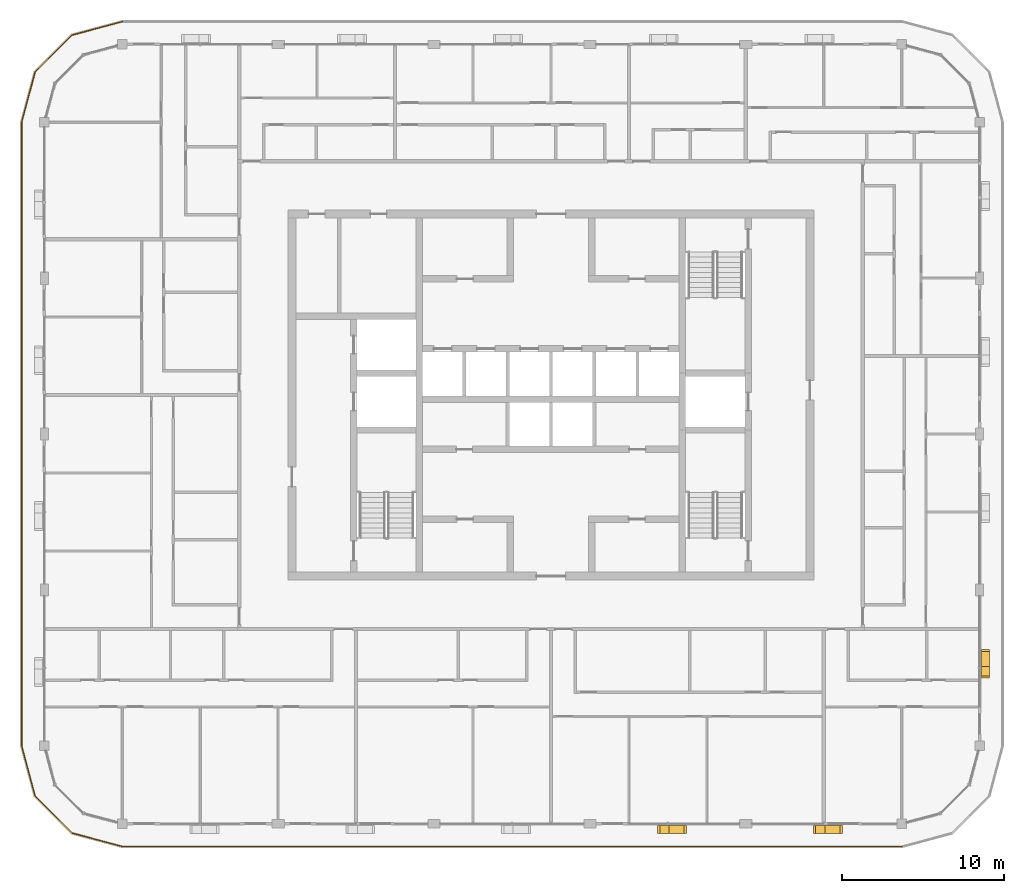
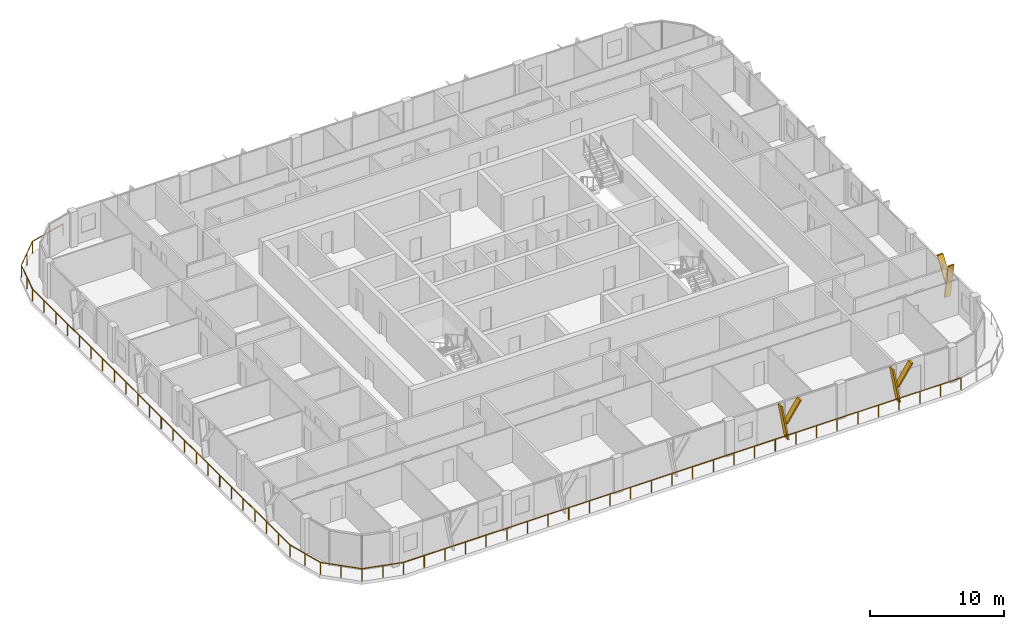
# One storey, part 18 of 21: 6 shading devices, 1 railing.
"""IFC4 building model written with IfcOpenShell, lengths in metres."""

from ifc_helpers import new_model, si_unit, direction, frame, origin, origin_2d, place, context, subcontext, project, spatial, polyline, circle, outline, extrude, material, type_object, element, save


model = new_model("IFC4")

# Units and contexts
model_context = context("Model", 3, precision=1e-05, world=origin(), true_north=direction((0.0, 1.0)))
body_context = subcontext(model_context, "Body", "Model", "MODEL_VIEW")
ifc_project = project(units=[si_unit("LENGTHUNIT", "METRE"), si_unit("AREAUNIT", "SQUARE_METRE"), si_unit("VOLUMEUNIT", "CUBIC_METRE"), si_unit("PLANEANGLEUNIT", "RADIAN"), si_unit("MASSUNIT", "GRAM", prefix="KILO")], contexts=[model_context])

# Site, building, storey
site_placement = place(None, origin())
site = spatial("IfcSite", under=ifc_project, at=site_placement, CompositionType="ELEMENT")
building_placement = place(site_placement, origin())
building = spatial("IfcBuilding", under=site, at=building_placement, Name="Madar Terraces", CompositionType="ELEMENT")
storey_placement = place(building_placement, frame((0.0, 0.0, 275.60009765625)))
storey = spatial("IfcBuildingStorey", under=building, at=storey_placement, Name="L72", CompositionType="ELEMENT", Elevation=275.60009765625)

# Railing
ifc_material_1 = material(Name="Glass, safety glazing, with stainless steel posts", Category="steel")
railing_type = type_object("IfcRailingType", Name="Balcony glass guard 1100", PredefinedType="GUARDRAIL", material=ifc_material_1)
railing_placement = place(storey_placement, frame((4.800048828125, 49.39990234375, 0.0)))
element("IfcRailing", 1, at=railing_placement, inside=storey, type_object=railing_type, Name="Balcony guard", PredefinedType="GUARDRAIL", context=body_context, shape_type="SweptSolid", body=[
    extrude(circle(Radius=0.02392578125, at=origin_2d()), frame((0.0, 0.0, 1.076171875), z_axis=(-0.9659337912, -0.258789317819, 0.0), x_axis=(0.258789317819, -0.9659337912, 0.0)), (0.0, 0.0, 1.0), 3.20947265625),
    extrude(circle(Radius=0.02392578125, at=origin_2d()), frame((-3.10009765625, -0.83056640625, 1.076171875), z_axis=(-0.707106781187, -0.707106781187, 0.0), x_axis=(0.707106781187, -0.707106781187, 0.0)), (0.0, 0.0, 1.0), 3.209228515625),
    extrude(circle(Radius=0.02392578125, at=origin_2d()), frame((-5.369384765625, -3.099853515625, 1.076171875), z_axis=(-0.258789317819, -0.9659337912, 0.0), x_axis=(0.9659337912, -0.258789317819, 0.0)), (0.0, 0.0, 1.0), 3.20947265625),
    extrude(circle(Radius=0.02392578125, at=origin_2d()), frame((-6.199951171875, -6.199951171875, 1.076171875), z_axis=(0.0, -1.0, 0.0), x_axis=(1.0, 0.0, 0.0)), (0.0, 0.0, 1.0), 38.39990234375),
    extrude(circle(Radius=0.02392578125, at=origin_2d()), frame((-6.199951171875, -44.599853515625, 1.076171875), z_axis=(0.258789317819, -0.9659337912, 0.0), x_axis=(0.9659337912, 0.258789317819, 0.0)), (0.0, 0.0, 1.0), 3.20947265625),
    extrude(circle(Radius=0.02392578125, at=origin_2d()), frame((-5.369384765625, -47.699951171875, 1.076171875), z_axis=(0.707106781187, -0.707106781187, 0.0), x_axis=(0.707106781187, 0.707106781187, 0.0)), (0.0, 0.0, 1.0), 3.209228515625),
    extrude(circle(Radius=0.02392578125, at=origin_2d()), frame((-3.10009765625, -49.96923828125, 1.076171875), z_axis=(0.9659337912, -0.258789317819, 0.0), x_axis=(0.258789317819, 0.9659337912, 0.0)), (0.0, 0.0, 1.0), 3.20947265625),
    extrude(circle(Radius=0.02392578125, at=origin_2d()), frame((0.0, -50.7998046875, 1.076171875), z_axis=(1.0, 0.0, 0.0), x_axis=(0.0, 1.0, 0.0)), (0.0, 0.0, 1.0), 48.0),
    extrude(circle(Radius=0.02099609375, at=origin_2d()), origin(), (0.0, 0.0, 1.0), 1.052001953125),
    extrude(circle(Radius=0.02099609375, at=origin_2d()), frame((-1.550048828125, -0.415283203125, 0.0)), (0.0, 0.0, 1.0), 1.052001953125),
    extrude(circle(Radius=0.02099609375, at=origin_2d()), frame((-3.10009765625, -0.83056640625, 0.0)), (0.0, 0.0, 1.0), 1.052001953125),
    extrude(circle(Radius=0.02099609375, at=origin_2d()), frame((-4.23486328125, -1.96533203125, 0.0)), (0.0, 0.0, 1.0), 1.052001953125),
    extrude(circle(Radius=0.02099609375, at=origin_2d()), frame((-5.369384765625, -3.099853515625, 0.0)), (0.0, 0.0, 1.0), 1.052001953125),
    extrude(circle(Radius=0.02099609375, at=origin_2d()), frame((-5.78466796875, -4.64990234375, 0.0)), (0.0, 0.0, 1.0), 1.052001953125),
    extrude(circle(Radius=0.02099609375, at=origin_2d()), frame((-6.199951171875, -6.199951171875, 0.0)), (0.0, 0.0, 1.0), 1.052001953125),
    extrude(circle(Radius=0.02099609375, at=origin_2d()), frame((-6.199951171875, -7.9453125, 0.0)), (0.0, 0.0, 1.0), 1.052001953125),
    extrude(circle(Radius=0.02099609375, at=origin_2d()), frame((-6.199951171875, -9.69091796875, 0.0)), (0.0, 0.0, 1.0), 1.052001953125),
    extrude(circle(Radius=0.02099609375, at=origin_2d()), frame((-6.199951171875, -11.436279296875, 0.0)), (0.0, 0.0, 1.0), 1.052001953125),
    extrude(circle(Radius=0.02099609375, at=origin_2d()), frame((-6.199951171875, -13.181640625, 0.0)), (0.0, 0.0, 1.0), 1.052001953125),
    extrude(circle(Radius=0.02099609375, at=origin_2d()), frame((-6.199951171875, -14.92724609375, 0.0)), (0.0, 0.0, 1.0), 1.052001953125),
    extrude(circle(Radius=0.02099609375, at=origin_2d()), frame((-6.199951171875, -16.672607421875, 0.0)), (0.0, 0.0, 1.0), 1.052001953125),
    extrude(circle(Radius=0.02099609375, at=origin_2d()), frame((-6.199951171875, -18.418212890625, 0.0)), (0.0, 0.0, 1.0), 1.052001953125),
    extrude(circle(Radius=0.02099609375, at=origin_2d()), frame((-6.199951171875, -20.16357421875, 0.0)), (0.0, 0.0, 1.0), 1.052001953125),
    extrude(circle(Radius=0.02099609375, at=origin_2d()), frame((-6.199951171875, -21.908935546875, 0.0)), (0.0, 0.0, 1.0), 1.052001953125),
    extrude(circle(Radius=0.02099609375, at=origin_2d()), frame((-6.199951171875, -23.654541015625, 0.0)), (0.0, 0.0, 1.0), 1.052001953125),
    extrude(circle(Radius=0.02099609375, at=origin_2d()), frame((-6.199951171875, -25.39990234375, 0.0)), (0.0, 0.0, 1.0), 1.052001953125),
    extrude(circle(Radius=0.02099609375, at=origin_2d()), frame((-6.199951171875, -27.145263671875, 0.0)), (0.0, 0.0, 1.0), 1.052001953125),
    extrude(circle(Radius=0.02099609375, at=origin_2d()), frame((-6.199951171875, -28.890869140625, 0.0)), (0.0, 0.0, 1.0), 1.052001953125),
    extrude(circle(Radius=0.02099609375, at=origin_2d()), frame((-6.199951171875, -30.63623046875, 0.0)), (0.0, 0.0, 1.0), 1.052001953125),
    extrude(circle(Radius=0.02099609375, at=origin_2d()), frame((-6.199951171875, -32.381591796875, 0.0)), (0.0, 0.0, 1.0), 1.052001953125),
    extrude(circle(Radius=0.02099609375, at=origin_2d()), frame((-6.199951171875, -34.127197265625, 0.0)), (0.0, 0.0, 1.0), 1.052001953125),
    extrude(circle(Radius=0.02099609375, at=origin_2d()), frame((-6.199951171875, -35.87255859375, 0.0)), (0.0, 0.0, 1.0), 1.052001953125),
    extrude(circle(Radius=0.02099609375, at=origin_2d()), frame((-6.199951171875, -37.6181640625, 0.0)), (0.0, 0.0, 1.0), 1.052001953125),
    extrude(circle(Radius=0.02099609375, at=origin_2d()), frame((-6.199951171875, -39.363525390625, 0.0)), (0.0, 0.0, 1.0), 1.052001953125),
    extrude(circle(Radius=0.02099609375, at=origin_2d()), frame((-6.199951171875, -41.10888671875, 0.0)), (0.0, 0.0, 1.0), 1.052001953125),
    extrude(circle(Radius=0.02099609375, at=origin_2d()), frame((-6.199951171875, -42.8544921875, 0.0)), (0.0, 0.0, 1.0), 1.052001953125),
    extrude(circle(Radius=0.02099609375, at=origin_2d()), frame((-6.199951171875, -44.599853515625, 0.0)), (0.0, 0.0, 1.0), 1.052001953125),
    extrude(circle(Radius=0.02099609375, at=origin_2d()), frame((-5.78466796875, -46.14990234375, 0.0)), (0.0, 0.0, 1.0), 1.052001953125),
    extrude(circle(Radius=0.02099609375, at=origin_2d()), frame((-5.369384765625, -47.699951171875, 0.0)), (0.0, 0.0, 1.0), 1.052001953125),
    extrude(circle(Radius=0.02099609375, at=origin_2d()), frame((-4.23486328125, -48.83447265625, 0.0)), (0.0, 0.0, 1.0), 1.052001953125),
    extrude(circle(Radius=0.02099609375, at=origin_2d()), frame((-3.10009765625, -49.96923828125, 0.0)), (0.0, 0.0, 1.0), 1.052001953125),
    extrude(circle(Radius=0.02099609375, at=origin_2d()), frame((-1.550048828125, -50.384521484375, 0.0)), (0.0, 0.0, 1.0), 1.052001953125),
    extrude(circle(Radius=0.02099609375, at=origin_2d()), frame((0.0, -50.7998046875, 0.0)), (0.0, 0.0, 1.0), 1.052001953125),
    extrude(circle(Radius=0.02099609375, at=origin_2d()), frame((1.77783203125, -50.7998046875, 0.0)), (0.0, 0.0, 1.0), 1.052001953125),
    extrude(circle(Radius=0.02099609375, at=origin_2d()), frame((3.5556640625, -50.7998046875, 0.0)), (0.0, 0.0, 1.0), 1.052001953125),
    extrude(circle(Radius=0.02099609375, at=origin_2d()), frame((5.333251953125, -50.7998046875, 0.0)), (0.0, 0.0, 1.0), 1.052001953125),
    extrude(circle(Radius=0.02099609375, at=origin_2d()), frame((7.111083984375, -50.7998046875, 0.0)), (0.0, 0.0, 1.0), 1.052001953125),
    extrude(circle(Radius=0.02099609375, at=origin_2d()), frame((8.888916015625, -50.7998046875, 0.0)), (0.0, 0.0, 1.0), 1.052001953125),
    extrude(circle(Radius=0.02099609375, at=origin_2d()), frame((10.666748046875, -50.7998046875, 0.0)), (0.0, 0.0, 1.0), 1.052001953125),
    extrude(circle(Radius=0.02099609375, at=origin_2d()), frame((12.4443359375, -50.7998046875, 0.0)), (0.0, 0.0, 1.0), 1.052001953125),
    extrude(circle(Radius=0.02099609375, at=origin_2d()), frame((14.22216796875, -50.7998046875, 0.0)), (0.0, 0.0, 1.0), 1.052001953125),
    extrude(circle(Radius=0.02099609375, at=origin_2d()), frame((16.0, -50.7998046875, 0.0)), (0.0, 0.0, 1.0), 1.052001953125),
    extrude(circle(Radius=0.02099609375, at=origin_2d()), frame((17.77783203125, -50.7998046875, 0.0)), (0.0, 0.0, 1.0), 1.052001953125),
    extrude(circle(Radius=0.02099609375, at=origin_2d()), frame((19.5556640625, -50.7998046875, 0.0)), (0.0, 0.0, 1.0), 1.052001953125),
    extrude(circle(Radius=0.02099609375, at=origin_2d()), frame((21.333251953125, -50.7998046875, 0.0)), (0.0, 0.0, 1.0), 1.052001953125),
    extrude(circle(Radius=0.02099609375, at=origin_2d()), frame((23.111083984375, -50.7998046875, 0.0)), (0.0, 0.0, 1.0), 1.052001953125),
    extrude(circle(Radius=0.02099609375, at=origin_2d()), frame((24.888916015625, -50.7998046875, 0.0)), (0.0, 0.0, 1.0), 1.052001953125),
    extrude(circle(Radius=0.02099609375, at=origin_2d()), frame((26.666748046875, -50.7998046875, 0.0)), (0.0, 0.0, 1.0), 1.052001953125),
    extrude(circle(Radius=0.02099609375, at=origin_2d()), frame((28.4443359375, -50.7998046875, 0.0)), (0.0, 0.0, 1.0), 1.052001953125),
    extrude(circle(Radius=0.02099609375, at=origin_2d()), frame((30.22216796875, -50.7998046875, 0.0)), (0.0, 0.0, 1.0), 1.052001953125),
    extrude(circle(Radius=0.02099609375, at=origin_2d()), frame((32.0, -50.7998046875, 0.0)), (0.0, 0.0, 1.0), 1.052001953125),
    extrude(circle(Radius=0.02099609375, at=origin_2d()), frame((33.77783203125, -50.7998046875, 0.0)), (0.0, 0.0, 1.0), 1.052001953125),
    extrude(circle(Radius=0.02099609375, at=origin_2d()), frame((35.5556640625, -50.7998046875, 0.0)), (0.0, 0.0, 1.0), 1.052001953125),
    extrude(circle(Radius=0.02099609375, at=origin_2d()), frame((37.333251953125, -50.7998046875, 0.0)), (0.0, 0.0, 1.0), 1.052001953125),
    extrude(circle(Radius=0.02099609375, at=origin_2d()), frame((39.111083984375, -50.7998046875, 0.0)), (0.0, 0.0, 1.0), 1.052001953125),
    extrude(circle(Radius=0.02099609375, at=origin_2d()), frame((40.888916015625, -50.7998046875, 0.0)), (0.0, 0.0, 1.0), 1.052001953125),
    extrude(circle(Radius=0.02099609375, at=origin_2d()), frame((42.666748046875, -50.7998046875, 0.0)), (0.0, 0.0, 1.0), 1.052001953125),
    extrude(circle(Radius=0.02099609375, at=origin_2d()), frame((44.4443359375, -50.7998046875, 0.0)), (0.0, 0.0, 1.0), 1.052001953125),
    extrude(circle(Radius=0.02099609375, at=origin_2d()), frame((46.22216796875, -50.7998046875, 0.0)), (0.0, 0.0, 1.0), 1.052001953125),
    extrude(circle(Radius=0.02099609375, at=origin_2d()), frame((48.0, -50.7998046875, 0.0)), (0.0, 0.0, 1.0), 1.052001953125),
])

# Shading devices
ifc_material_2 = material(Name="Aluminium, black anodised", Category="aluminium")
shading_device_type = type_object("IfcShadingDeviceType", Name="Facade fin blade 140 x 500", PredefinedType="USERDEFINED", material=ifc_material_2)
shading_device_1_placement = place(storey_placement, frame((38.330078125, -0.35009765625, 0.0), z_axis=(0.0, 0.0, 1.0), x_axis=(1.0, 0.0, 0.0)))
element("IfcShadingDevice", 2, at=shading_device_1_placement, inside=storey, type_object=shading_device_type, Name="FIN L72 S4", ObjectType="FIN", PredefinedType="USERDEFINED", context=body_context, shape_type="SweptSolid", body=[
    extrude(outline(polyline([(0.0, 0.0), (0.139892578125, 0.0), (-0.42431640625, 3.199951171875), (-0.564208984375, 3.199951171875), (0.0, 0.0)])), frame((0.0, 0.25, 0.0), z_axis=(0.0, -1.0, 0.0), x_axis=(1.0, 0.0, 0.0)), (0.0, 0.0, 1.0), 0.5),
])
shading_device_2_placement = place(storey_placement, frame((38.216064453125, -0.35009765625, 1.43994140625), z_axis=(0.0, 0.0, 1.0), x_axis=(1.0, 0.0, 0.0)))
element("IfcShadingDevice", 3, at=shading_device_2_placement, inside=storey, type_object=shading_device_type, Name="FIN L72 S4 branch", ObjectType="FIN", PredefinedType="USERDEFINED", context=body_context, shape_type="SweptSolid", body=[
    extrude(outline(polyline([(0.0, 0.0), (0.14013671875, 0.0), (1.32958984375, 1.760009765625), (1.189697265625, 1.760009765625), (0.0, 0.0)])), frame((0.0, 0.25, 0.0), z_axis=(0.0, -1.0, 0.0), x_axis=(1.0, 0.0, 0.0)), (0.0, 0.0, 1.0), 0.5),
])
shading_device_3_placement = place(storey_placement, frame((47.929931640625, -0.35009765625, 0.0), z_axis=(0.0, 0.0, 1.0), x_axis=(1.0, 0.0, 0.0)))
element("IfcShadingDevice", 4, at=shading_device_3_placement, inside=storey, type_object=shading_device_type, Name="FIN L72 S5", ObjectType="FIN", PredefinedType="USERDEFINED", context=body_context, shape_type="SweptSolid", body=[
    extrude(outline(polyline([(0.0, 0.0), (0.14013671875, 0.0), (-0.42431640625, 3.199951171875), (-0.564208984375, 3.199951171875), (0.0, 0.0)])), frame((0.0, 0.25, 0.0), z_axis=(0.0, -1.0, 0.0), x_axis=(1.0, 0.0, 0.0)), (0.0, 0.0, 1.0), 0.5),
])
shading_device_4_placement = place(storey_placement, frame((47.816162109375, -0.35009765625, 1.43994140625), z_axis=(0.0, 0.0, 1.0), x_axis=(1.0, 0.0, 0.0)))
element("IfcShadingDevice", 5, at=shading_device_4_placement, inside=storey, type_object=shading_device_type, Name="FIN L72 S5 branch", ObjectType="FIN", PredefinedType="USERDEFINED", context=body_context, shape_type="SweptSolid", body=[
    extrude(outline(polyline([(0.0, 0.0), (0.139892578125, 0.0), (1.32958984375, 1.760009765625), (1.189697265625, 1.760009765625), (0.0, 0.0)])), frame((0.0, 0.25, 0.0), z_axis=(0.0, -1.0, 0.0), x_axis=(1.0, 0.0, 0.0)), (0.0, 0.0, 1.0), 0.5),
])
shading_device_5_placement = place(storey_placement, frame((57.949951171875, 9.530029296875, 0.0), z_axis=(0.0, 0.0, 1.0), x_axis=(0.0, 1.0, 0.0)))
element("IfcShadingDevice", 6, at=shading_device_5_placement, inside=storey, type_object=shading_device_type, Name="FIN L72 E1", ObjectType="FIN", PredefinedType="USERDEFINED", context=body_context, shape_type="SweptSolid", body=[
    extrude(outline(polyline([(0.0, 0.0), (0.139892578125, 0.0), (-0.42431640625, 3.199951171875), (-0.564208984375, 3.199951171875), (0.0, 0.0)])), frame((0.0, 0.25, 0.0), z_axis=(0.0, -1.0, 0.0), x_axis=(1.0, 0.0, 0.0)), (0.0, 0.0, 1.0), 0.5),
])
shading_device_6_placement = place(storey_placement, frame((57.949951171875, 9.416015625, 1.43994140625), z_axis=(0.0, 0.0, 1.0), x_axis=(0.0, 1.0, 0.0)))
element("IfcShadingDevice", 7, at=shading_device_6_placement, inside=storey, type_object=shading_device_type, Name="FIN L72 E1 branch", ObjectType="FIN", PredefinedType="USERDEFINED", context=body_context, shape_type="SweptSolid", body=[
    extrude(outline(polyline([(0.0, 0.0), (0.14013671875, 0.0), (1.32958984375, 1.760009765625), (1.189697265625, 1.760009765625), (0.0, 0.0)])), frame((0.0, 0.25, 0.0), z_axis=(0.0, -1.0, 0.0), x_axis=(1.0, 0.0, 0.0)), (0.0, 0.0, 1.0), 0.5),
])

save(model, "model.ifc")
